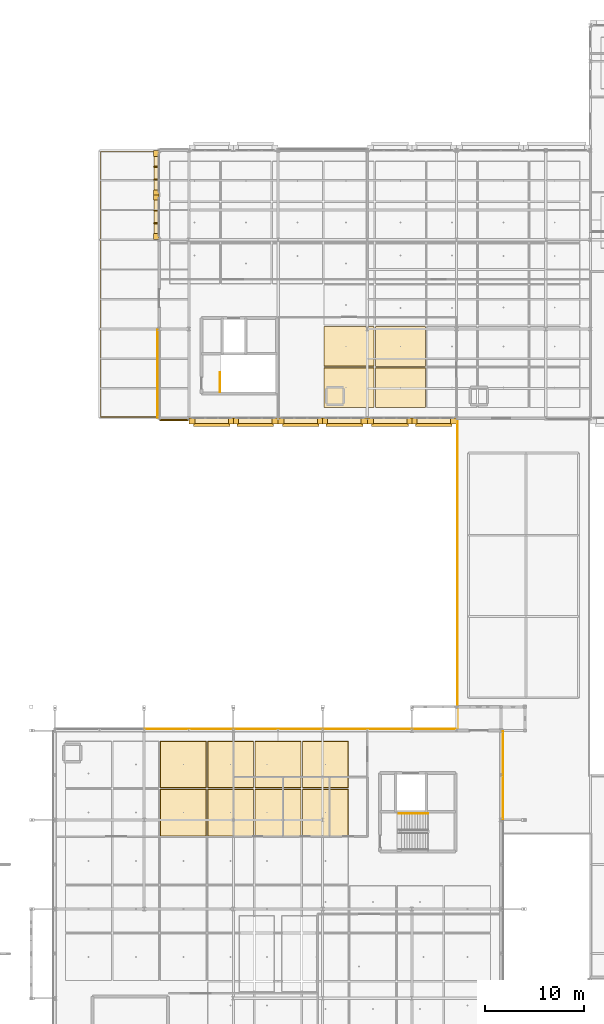
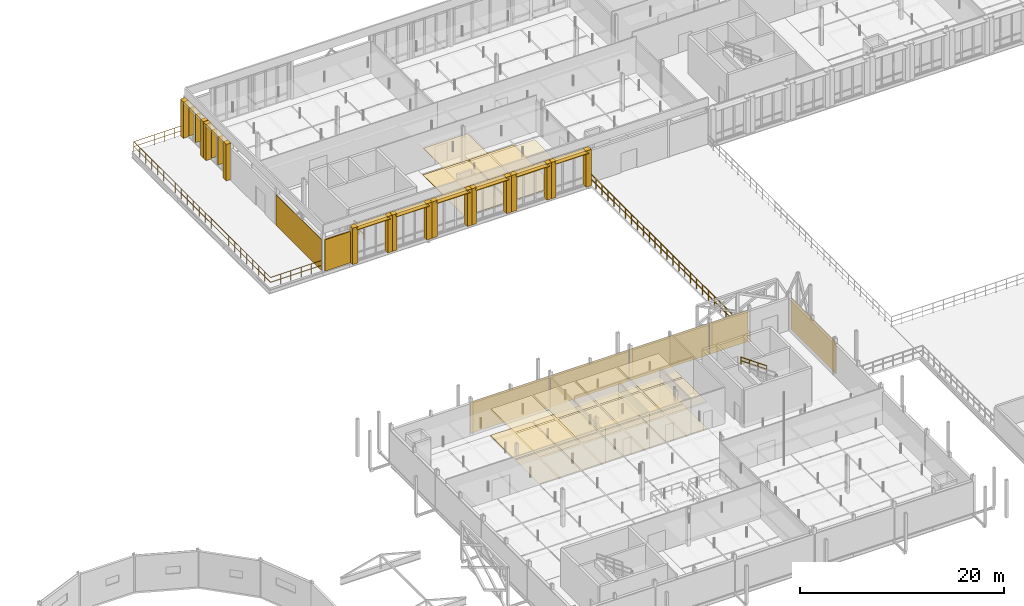
# One storey, part 83 of 89: 54 coverings, 10 shading devices, 4 railings.
"""IFC4 building model written with IfcOpenShell, lengths in metres."""

from ifc_helpers import new_model, si_unit, direction, frame, origin, origin_2d, place, context, subcontext, project, spatial, rectangle, circle, extrude, material, layer, layer_set, type_object, element, save


model = new_model("IFC4")

# Units and contexts
model_context = context("Model", 3, precision=1e-05, world=origin(), true_north=direction((0.0, 1.0)))
body_context = subcontext(model_context, "Body", "Model", "MODEL_VIEW")
ifc_project = project(units=[si_unit("LENGTHUNIT", "METRE"), si_unit("AREAUNIT", "SQUARE_METRE"), si_unit("VOLUMEUNIT", "CUBIC_METRE"), si_unit("PLANEANGLEUNIT", "RADIAN"), si_unit("MASSUNIT", "GRAM", prefix="KILO"), si_unit("THERMODYNAMICTEMPERATUREUNIT", "KELVIN"), si_unit("POWERUNIT", "WATT")], contexts=[model_context])

# Site, building, storey
site_placement = place(None, origin())
site = spatial("IfcSite", under=ifc_project, at=site_placement, CompositionType="ELEMENT")
building_placement = place(site_placement, origin())
building = spatial("IfcBuilding", under=site, at=building_placement, Name="Tallowbark Science Centre", CompositionType="ELEMENT")
storey_placement = place(building_placement, frame((0.0, 0.0, 14.39990234375)))
storey = spatial("IfcBuildingStorey", under=building, at=storey_placement, Name="L03", CompositionType="ELEMENT", Elevation=14.39990234375)

# Coverings
ifc_material_1 = material(Name="Cleanable Vinyl-Faced Laboratory Ceiling Tile")
ifc_layer_1 = layer(ifc_material_1, 0.01611328125)
ifc_layer_set_1 = layer_set([ifc_layer_1], Name="Cleanable Vinyl-Faced Laboratory Ceiling Tile")
covering_type_1 = type_object("IfcCoveringType", Name="CLG-LAB-16", PredefinedType="CEILING", material=ifc_layer_set_1)
for number, where, z_axis, x_axis, name in (
    (1, (88.15625, 75.083251953125, 3.192138671875), (0.0, 0.0, 1.0), (1.0, 0.0, 0.0), "Suspended Ceiling L03-1003"),
    (2, (88.15625, 79.25, 3.192138671875), (0.0, 0.0, 1.0), (1.0, 0.0, 0.0), "Suspended Ceiling L03-1004"),
    (3, (93.34375, 75.083251953125, 3.192138671875), (0.0, 0.0, 1.0), (1.0, 0.0, 0.0), "Suspended Ceiling L03-1009"),
):
    element("IfcCovering", number, at=place(storey_placement, frame(where, z_axis=z_axis, x_axis=x_axis)), inside=storey, type_object=covering_type_1, Name=name, PredefinedType="CEILING", context=body_context, shape_type="SweptSolid", body=[
        extrude(rectangle(XDim=5.007568359375, YDim=3.98681640625, at=origin_2d()), origin(), (0.0, 0.0, 1.0), 0.01611328125),
    ])
ifc_material_2 = material(Name="Perforated Spotted Gum Acoustic Baffle Ceiling", Category="wood")
ifc_layer_2 = layer(ifc_material_2, 0.02490234375)
ifc_layer_set_2 = layer_set([ifc_layer_2], Name="Perforated Spotted Gum Acoustic Baffle Ceiling")
covering_type_2 = type_object("IfcCoveringType", Name="CLG-TIM-25", PredefinedType="CEILING", material=ifc_layer_set_2)
for number, where, z_axis, x_axis, name in (
    (4, (71.4443359375, 32.21435546875, 3.187744140625), (0.0, 0.0, 1.0), (1.0, 0.0, 0.0), "Suspended Ceiling L03-959"),
    (5, (71.4443359375, 37.0712890625, 3.187744140625), (0.0, 0.0, 1.0), (1.0, 0.0, 0.0), "Suspended Ceiling L03-960"),
    (6, (76.22216796875, 32.21435546875, 3.187744140625), (0.0, 0.0, 1.0), (1.0, 0.0, 0.0), "Suspended Ceiling L03-966"),
    (7, (76.22216796875, 37.0712890625, 3.187744140625), (0.0, 0.0, 1.0), (1.0, 0.0, 0.0), "Suspended Ceiling L03-967"),
    (8, (81.0, 32.21435546875, 3.187744140625), (0.0, 0.0, 1.0), (1.0, 0.0, 0.0), "Suspended Ceiling L03-973"),
    (9, (81.0, 37.0712890625, 3.187744140625), (0.0, 0.0, 1.0), (1.0, 0.0, 0.0), "Suspended Ceiling L03-974"),
    (10, (85.77783203125, 32.21435546875, 3.187744140625), (0.0, 0.0, 1.0), (1.0, 0.0, 0.0), "Suspended Ceiling L03-980"),
    (11, (85.77783203125, 37.0712890625, 3.187744140625), (0.0, 0.0, 1.0), (1.0, 0.0, 0.0), "Suspended Ceiling L03-981"),
):
    element("IfcCovering", number, at=place(storey_placement, frame(where, z_axis=z_axis, x_axis=x_axis)), inside=storey, type_object=covering_type_2, Name=name, PredefinedType="CEILING", context=body_context, shape_type="SweptSolid", body=[
        extrude(rectangle(XDim=4.597900390625, YDim=4.677001953125, at=origin_2d()), origin(), (0.0, 0.0, 1.0), 0.02490234375),
    ])
ifc_material_3 = material(Name="White Architectural Precast Concrete Grade N40 (40 MPa)", Category="concrete")
ifc_layer_3 = layer(ifc_material_3, 0.1201171875)
ifc_layer_set_3 = layer_set([ifc_layer_3], Name="White Architectural Precast Concrete Grade N40 (40 MPa)")
covering_type_3 = type_object("IfcCoveringType", Name="COV-PRC-CLAD", PredefinedType="CLADDING", material=ifc_layer_set_3)
covering_1_placement = place(storey_placement, frame((70.5, 71.81494140625, 0.050048828125), z_axis=(0.0, 0.0, 1.0), x_axis=(1.0, 0.0, 0.0)))
element("IfcCovering", 12, at=covering_1_placement, inside=storey, type_object=covering_type_3, Name="Architectural Rainscreen LAB-S-L03-69", PredefinedType="CLADDING", context=body_context, shape_type="SweptSolid", body=[
    extrude(rectangle(XDim=2.8798828125, YDim=0.1201171875, at=origin_2d()), origin(), (0.0, 0.0, 1.0), 3.74609375),
])
covering_2_placement = place(storey_placement, frame((72.304931640625, 71.719970703125, 0.0), z_axis=(0.0, 0.0, 1.0), x_axis=(1.0, 0.0, 0.0)))
element("IfcCovering", 13, at=covering_2_placement, inside=storey, type_object=covering_type_3, Name="Postmodern Deep Precast Pier CW-L03-076-1", PredefinedType="CLADDING", context=body_context, shape_type="SweptSolid", body=[
    extrude(rectangle(XDim=0.610107421875, YDim=0.56005859375, at=origin_2d()), origin(), (0.0, 0.0, 1.0), 4.340087890625),
])
for number, where, z_axis, x_axis, name in (
    (14, (76.2451171875, 71.719970703125, 0.0), (0.0, 0.0, 1.0), (1.0, 0.0, 0.0), "Postmodern Deep Precast Pier CW-L03-076-2"),
    (15, (76.7548828125, 71.719970703125, 0.0), (0.0, 0.0, 1.0), (1.0, 0.0, 0.0), "Postmodern Deep Precast Pier CW-L03-077-1"),
):
    element("IfcCovering", number, at=place(storey_placement, frame(where, z_axis=z_axis, x_axis=x_axis)), inside=storey, type_object=covering_type_3, Name=name, PredefinedType="CLADDING", context=body_context, shape_type="SweptSolid", body=[
        extrude(rectangle(XDim=0.510009765625, YDim=0.56005859375, at=origin_2d()), origin(), (0.0, 0.0, 1.0), 4.340087890625),
    ])
for number, where, z_axis, x_axis, name in (
    (16, (80.695068359375, 71.719970703125, 0.0), (0.0, 0.0, 1.0), (1.0, 0.0, 0.0), "Postmodern Deep Precast Pier CW-L03-077-2"),
    (17, (81.304931640625, 71.719970703125, 0.0), (0.0, 0.0, 1.0), (1.0, 0.0, 0.0), "Postmodern Deep Precast Pier CW-L03-078-1"),
):
    element("IfcCovering", number, at=place(storey_placement, frame(where, z_axis=z_axis, x_axis=x_axis)), inside=storey, type_object=covering_type_3, Name=name, PredefinedType="CLADDING", context=body_context, shape_type="SweptSolid", body=[
        extrude(rectangle(XDim=0.610107421875, YDim=0.56005859375, at=origin_2d()), origin(), (0.0, 0.0, 1.0), 4.340087890625),
    ])
for number, where, z_axis, x_axis, name in (
    (18, (85.2451171875, 71.719970703125, 0.0), (0.0, 0.0, 1.0), (1.0, 0.0, 0.0), "Postmodern Deep Precast Pier CW-L03-078-2"),
    (19, (85.7548828125, 71.719970703125, 0.0), (0.0, 0.0, 1.0), (1.0, 0.0, 0.0), "Postmodern Deep Precast Pier CW-L03-079-1"),
):
    element("IfcCovering", number, at=place(storey_placement, frame(where, z_axis=z_axis, x_axis=x_axis)), inside=storey, type_object=covering_type_3, Name=name, PredefinedType="CLADDING", context=body_context, shape_type="SweptSolid", body=[
        extrude(rectangle(XDim=0.510009765625, YDim=0.56005859375, at=origin_2d()), origin(), (0.0, 0.0, 1.0), 4.340087890625),
    ])
for number, where, z_axis, x_axis, name in (
    (20, (89.695068359375, 71.719970703125, 0.0), (0.0, 0.0, 1.0), (1.0, 0.0, 0.0), "Postmodern Deep Precast Pier CW-L03-079-2"),
    (21, (90.304931640625, 71.719970703125, 0.0), (0.0, 0.0, 1.0), (1.0, 0.0, 0.0), "Postmodern Deep Precast Pier CW-L03-080-1"),
):
    element("IfcCovering", number, at=place(storey_placement, frame(where, z_axis=z_axis, x_axis=x_axis)), inside=storey, type_object=covering_type_3, Name=name, PredefinedType="CLADDING", context=body_context, shape_type="SweptSolid", body=[
        extrude(rectangle(XDim=0.610107421875, YDim=0.56005859375, at=origin_2d()), origin(), (0.0, 0.0, 1.0), 4.340087890625),
    ])
for number, where, z_axis, x_axis, name in (
    (22, (94.2451171875, 71.719970703125, 0.0), (0.0, 0.0, 1.0), (1.0, 0.0, 0.0), "Postmodern Deep Precast Pier CW-L03-080-2"),
    (23, (94.7548828125, 71.719970703125, 0.0), (0.0, 0.0, 1.0), (1.0, 0.0, 0.0), "Postmodern Deep Precast Pier CW-L03-081-1"),
):
    element("IfcCovering", number, at=place(storey_placement, frame(where, z_axis=z_axis, x_axis=x_axis)), inside=storey, type_object=covering_type_3, Name=name, PredefinedType="CLADDING", context=body_context, shape_type="SweptSolid", body=[
        extrude(rectangle(XDim=0.510009765625, YDim=0.56005859375, at=origin_2d()), origin(), (0.0, 0.0, 1.0), 4.340087890625),
    ])
for number, where, z_axis, x_axis, name in (
    (24, (98.695068359375, 71.719970703125, 0.0), (0.0, 0.0, 1.0), (1.0, 0.0, 0.0), "Postmodern Deep Precast Pier CW-L03-081-2"),
    (25, (68.719970703125, 98.695068359375, 0.0), (0.0, 0.0, 1.0), (0.0, -1.0, 0.0), "Postmodern Deep Precast Pier CW-L03-082-1"),
):
    element("IfcCovering", number, at=place(storey_placement, frame(where, z_axis=z_axis, x_axis=x_axis)), inside=storey, type_object=covering_type_3, Name=name, PredefinedType="CLADDING", context=body_context, shape_type="SweptSolid", body=[
        extrude(rectangle(XDim=0.610107421875, YDim=0.56005859375, at=origin_2d()), origin(), (0.0, 0.0, 1.0), 4.340087890625),
    ])
for number, where, z_axis, x_axis, name in (
    (26, (68.719970703125, 94.7548828125, 0.0), (0.0, 0.0, 1.0), (0.0, -1.0, 0.0), "Postmodern Deep Precast Pier CW-L03-082-2"),
    (27, (68.719970703125, 94.2451171875, 0.0), (0.0, 0.0, 1.0), (0.0, -1.0, 0.0), "Postmodern Deep Precast Pier CW-L03-083-1"),
):
    element("IfcCovering", number, at=place(storey_placement, frame(where, z_axis=z_axis, x_axis=x_axis)), inside=storey, type_object=covering_type_3, Name=name, PredefinedType="CLADDING", context=body_context, shape_type="SweptSolid", body=[
        extrude(rectangle(XDim=0.510009765625, YDim=0.56005859375, at=origin_2d()), origin(), (0.0, 0.0, 1.0), 4.340087890625),
    ])
covering_3_placement = place(storey_placement, frame((68.719970703125, 90.304931640625, 0.0), z_axis=(0.0, 0.0, 1.0), x_axis=(0.0, -1.0, 0.0)))
element("IfcCovering", 28, at=covering_3_placement, inside=storey, type_object=covering_type_3, Name="Postmodern Deep Precast Pier CW-L03-083-2", PredefinedType="CLADDING", context=body_context, shape_type="SweptSolid", body=[
    extrude(rectangle(XDim=0.610107421875, YDim=0.56005859375, at=origin_2d()), origin(), (0.0, 0.0, 1.0), 4.340087890625),
])
ifc_material_4 = material(Name="Vitrified Ochre Terracotta Architectural Rainscreen", Category="masonry")
ifc_layer_4 = layer(ifc_material_4, 0.0380859375)
ifc_layer_set_4 = layer_set([ifc_layer_4], Name="Vitrified Ochre Terracotta Architectural Rainscreen")
covering_type_4 = type_object("IfcCoveringType", Name="COV-TER-CLAD", PredefinedType="CLADDING", material=ifc_layer_set_4)
for number, where, z_axis, x_axis, name in (
    (29, (74.300048828125, 71.739990234375, 3.990234375), (0.0, 0.0, 1.0), (1.0, 0.0, 0.0), "Postmodern Terracotta Cornice Band CW-L03-076"),
    (30, (78.699951171875, 71.739990234375, 3.990234375), (0.0, 0.0, 1.0), (1.0, 0.0, 0.0), "Postmodern Terracotta Cornice Band CW-L03-077"),
    (31, (83.300048828125, 71.739990234375, 3.990234375), (0.0, 0.0, 1.0), (1.0, 0.0, 0.0), "Postmodern Terracotta Cornice Band CW-L03-078"),
    (32, (87.699951171875, 71.739990234375, 3.990234375), (0.0, 0.0, 1.0), (1.0, 0.0, 0.0), "Postmodern Terracotta Cornice Band CW-L03-079"),
    (33, (92.300048828125, 71.739990234375, 3.990234375), (0.0, 0.0, 1.0), (1.0, 0.0, 0.0), "Postmodern Terracotta Cornice Band CW-L03-080"),
    (34, (96.699951171875, 71.739990234375, 3.990234375), (0.0, 0.0, 1.0), (1.0, 0.0, 0.0), "Postmodern Terracotta Cornice Band CW-L03-081"),
):
    element("IfcCovering", number, at=place(storey_placement, frame(where, z_axis=z_axis, x_axis=x_axis)), inside=storey, type_object=covering_type_4, Name=name, PredefinedType="CLADDING", context=body_context, shape_type="SweptSolid", body=[
        extrude(rectangle(XDim=4.300048828125, YDim=0.52001953125, at=origin_2d()), origin(), (0.0, 0.0, 1.0), 0.340087890625),
    ])
covering_4_placement = place(storey_placement, frame((68.85595703125, 76.5, 0.050048828125), z_axis=(0.0, 0.0, 1.0), x_axis=(0.0, -1.0, 0.0)))
element("IfcCovering", 35, at=covering_4_placement, inside=storey, type_object=covering_type_4, Name="Architectural Rainscreen LAB-W-L03-72", PredefinedType="CLADDING", context=body_context, shape_type="SweptSolid", body=[
    extrude(rectangle(XDim=8.8798828125, YDim=0.0380859375, at=origin_2d()), origin(), (0.0, 0.0, 1.0), 3.671875),
])
for number, where, z_axis, x_axis, name in (
    (36, (68.739990234375, 96.699951171875, 3.990234375), (0.0, 0.0, 1.0), (0.0, -1.0, 0.0), "Postmodern Terracotta Cornice Band CW-L03-082"),
    (37, (68.739990234375, 92.300048828125, 3.990234375), (0.0, 0.0, 1.0), (0.0, -1.0, 0.0), "Postmodern Terracotta Cornice Band CW-L03-083"),
):
    element("IfcCovering", number, at=place(storey_placement, frame(where, z_axis=z_axis, x_axis=x_axis)), inside=storey, type_object=covering_type_4, Name=name, PredefinedType="CLADDING", context=body_context, shape_type="SweptSolid", body=[
        extrude(rectangle(XDim=4.300048828125, YDim=0.52001953125, at=origin_2d()), origin(), (0.0, 0.0, 1.0), 0.340087890625),
    ])
ifc_material_5 = material(Name="Spotted Gum Hardwood Architectural Rainscreen", Category="wood")
ifc_layer_5 = layer(ifc_material_5, 0.0419921875)
ifc_layer_set_5 = layer_set([ifc_layer_5], Name="Spotted Gum Hardwood Architectural Rainscreen")
covering_type_5 = type_object("IfcCoveringType", Name="COV-TIM-CLAD", PredefinedType="CLADDING", material=ifc_layer_set_5)
for number, where, z_axis, x_axis, name in (
    (38, (72.0, 40.66845703125, 0.050048828125), (0.0, 0.0, 1.0), (-1.0, 0.0, 0.0), "Architectural Rainscreen CUB-N-L03-1"),
    (39, (81.0, 40.66845703125, 0.050048828125), (0.0, 0.0, 1.0), (-1.0, 0.0, 0.0), "Architectural Rainscreen CUB-N-L03-2"),
    (40, (90.0, 40.66845703125, 0.050048828125), (0.0, 0.0, 1.0), (-1.0, 0.0, 0.0), "Architectural Rainscreen CUB-N-L03-3"),
):
    element("IfcCovering", number, at=place(storey_placement, frame(where, z_axis=z_axis, x_axis=x_axis)), inside=storey, type_object=covering_type_5, Name=name, PredefinedType="CLADDING", context=body_context, shape_type="SweptSolid", body=[
        extrude(rectangle(XDim=8.8798828125, YDim=0.0419921875, at=origin_2d()), origin(), (0.0, 0.0, 1.0), 3.74609375),
    ])
covering_5_placement = place(storey_placement, frame((96.75, 40.66845703125, 0.050048828125), z_axis=(0.0, 0.0, 1.0), x_axis=(-1.0, 0.0, 0.0)))
element("IfcCovering", 41, at=covering_5_placement, inside=storey, type_object=covering_type_5, Name="Architectural Rainscreen CUB-N-L03-4B", PredefinedType="CLADDING", context=body_context, shape_type="SweptSolid", body=[
    extrude(rectangle(XDim=4.3798828125, YDim=0.0419921875, at=origin_2d()), origin(), (0.0, 0.0, 1.0), 3.74609375),
])
covering_6_placement = place(storey_placement, frame((103.66845703125, 36.0, 0.050048828125), z_axis=(0.0, 0.0, 1.0), x_axis=(0.0, 1.0, 0.0)))
element("IfcCovering", 42, at=covering_6_placement, inside=storey, type_object=covering_type_5, Name="Architectural Rainscreen CUB-E-L03-3", PredefinedType="CLADDING", context=body_context, shape_type="SweptSolid", body=[
    extrude(rectangle(XDim=8.8798828125, YDim=0.0419921875, at=origin_2d()), origin(), (0.0, 0.0, 1.0), 3.74609375),
])
ifc_material_6 = material(Name="Engineered Blackbutt Gallery Timber Flooring", Category="wood")
ifc_layer_6 = layer(ifc_material_6, 0.02197265625)
ifc_layer_set_6 = layer_set([ifc_layer_6], Name="Engineered Blackbutt Gallery Timber Flooring")
covering_type_6 = type_object("IfcCoveringType", Name="FLR-TIM-22", PredefinedType="FLOORING", material=ifc_layer_set_6)
for number, where, z_axis, x_axis, name in (
    (43, (71.4443359375, 32.21435546875, 0.0), (0.0, 0.0, 1.0), (1.0, 0.0, 0.0), "Floor Finish L03-959"),
    (44, (71.4443359375, 37.0712890625, 0.0), (0.0, 0.0, 1.0), (1.0, 0.0, 0.0), "Floor Finish L03-960"),
    (45, (76.22216796875, 32.21435546875, 0.0), (0.0, 0.0, 1.0), (1.0, 0.0, 0.0), "Floor Finish L03-966"),
    (46, (76.22216796875, 37.0712890625, 0.0), (0.0, 0.0, 1.0), (1.0, 0.0, 0.0), "Floor Finish L03-967"),
    (47, (81.0, 32.21435546875, 0.0), (0.0, 0.0, 1.0), (1.0, 0.0, 0.0), "Floor Finish L03-973"),
    (48, (81.0, 37.0712890625, 0.0), (0.0, 0.0, 1.0), (1.0, 0.0, 0.0), "Floor Finish L03-974"),
    (49, (85.77783203125, 32.21435546875, 0.0), (0.0, 0.0, 1.0), (1.0, 0.0, 0.0), "Floor Finish L03-980"),
    (50, (85.77783203125, 37.0712890625, 0.0), (0.0, 0.0, 1.0), (1.0, 0.0, 0.0), "Floor Finish L03-981"),
):
    element("IfcCovering", number, at=place(storey_placement, frame(where, z_axis=z_axis, x_axis=x_axis)), inside=storey, type_object=covering_type_6, Name=name, PredefinedType="FLOORING", context=body_context, shape_type="SweptSolid", body=[
        extrude(rectangle(XDim=4.65771484375, YDim=4.737060546875, at=origin_2d()), origin(), (0.0, 0.0, 1.0), 0.02197265625),
    ])
ifc_material_7 = material(Name="Chemical-Resistant Seamless Laboratory Vinyl")
ifc_layer_7 = layer(ifc_material_7, 0.011962890625)
ifc_layer_set_7 = layer_set([ifc_layer_7], Name="Chemical-Resistant Seamless Laboratory Vinyl")
covering_type_7 = type_object("IfcCoveringType", Name="FLR-VIN-12", PredefinedType="FLOORING", material=ifc_layer_set_7)
for number, where, z_axis, x_axis, name in (
    (51, (88.15625, 75.083251953125, 0.0), (0.0, 0.0, 1.0), (1.0, 0.0, 0.0), "Floor Finish L03-1003"),
    (52, (88.15625, 79.25, 0.0), (0.0, 0.0, 1.0), (1.0, 0.0, 0.0), "Floor Finish L03-1004"),
    (53, (93.34375, 75.083251953125, 0.0), (0.0, 0.0, 1.0), (1.0, 0.0, 0.0), "Floor Finish L03-1009"),
    (54, (93.34375, 79.25, 0.0), (0.0, 0.0, 1.0), (1.0, 0.0, 0.0), "Floor Finish L03-1010"),
):
    element("IfcCovering", number, at=place(storey_placement, frame(where, z_axis=z_axis, x_axis=x_axis)), inside=storey, type_object=covering_type_7, Name=name, PredefinedType="FLOORING", context=body_context, shape_type="SweptSolid", body=[
        extrude(rectangle(XDim=5.0673828125, YDim=4.046630859375, at=origin_2d()), origin(), (0.0, 0.0, 1.0), 0.011962890625),
    ])

# Railings
ifc_material_8 = material(Name="Galvanised Painted Steel and Laminated Glass Balustrade", Category="steel")
ifc_layer_8 = layer(ifc_material_8, 0.070068359375)
ifc_layer_set_8 = layer_set([ifc_layer_8], Name="Galvanised Painted Steel and Laminated Glass Balustrade")
railing_type_1 = type_object("IfcRailingType", Name="RLG-BAL-1150", PredefinedType="BALUSTRADE", material=ifc_layer_set_8)
railing_1_placement = place(storey_placement, frame((75.159912109375, 74.64990234375, 0.0)))
element("IfcRailing", 55, at=railing_1_placement, inside=storey, type_object=railing_type_1, Name="L03 ST-01 top well guard 1", PredefinedType="BALUSTRADE", context=body_context, shape_type="SweptSolid", body=[
    extrude(circle(Radius=0.02392578125, at=origin_2d()), frame((0.0, 0.0, 1.076171875), z_axis=(0.0, 1.0, 0.0), x_axis=(-1.0, 0.0, 0.0)), (0.0, 0.0, 1.0), 1.960205078125),
    extrude(circle(Radius=0.02392578125, at=origin_2d()), frame((0.0, 0.0, 0.550048828125), z_axis=(0.0, 1.0, 0.0), x_axis=(-1.0, 0.0, 0.0)), (0.0, 0.0, 1.0), 1.960205078125),
    extrude(circle(Radius=0.02099609375, at=origin_2d()), origin(), (0.0, 0.0, 1.0), 1.052001953125),
    extrude(circle(Radius=0.02099609375, at=origin_2d()), frame((0.0, 0.97998046875, 0.0)), (0.0, 0.0, 1.0), 1.052001953125),
    extrude(circle(Radius=0.02099609375, at=origin_2d()), frame((0.0, 1.960205078125, 0.0)), (0.0, 0.0, 1.0), 1.052001953125),
])
ifc_material_9 = material(Name="Brushed Grade 316 Stainless Steel Handrail", Category="steel")
ifc_layer_9 = layer(ifc_material_9, 0.050048828125)
ifc_layer_set_9 = layer_set([ifc_layer_9], Name="Brushed Grade 316 Stainless Steel Handrail")
railing_type_2 = type_object("IfcRailingType", Name="RLG-HDR-950", PredefinedType="HANDRAIL", material=ifc_layer_set_9)
railing_2_placement = place(storey_placement, frame((96.125, 32.1201171875, 2.4375)))
element("IfcRailing", 56, at=railing_2_placement, inside=storey, type_object=railing_type_2, Name="L03 ST-03 stair handrail 2", PredefinedType="HANDRAIL", context=body_context, shape_type="SweptSolid", body=[
    extrude(circle(Radius=0.02392578125, at=origin_2d()), frame((0.0, 0.0, 0.8759765625), z_axis=(-0.816330724661, 0.0, 0.577584753931), x_axis=(0.0, -1.0, 0.0)), (0.0, 0.0, 1.0), 3.57080078125),
    extrude(circle(Radius=0.02392578125, at=origin_2d()), frame((0.0, 0.0, 0.449951171875), z_axis=(-0.816330724661, 0.0, 0.577584753931), x_axis=(0.0, -1.0, 0.0)), (0.0, 0.0, 1.0), 3.57080078125),
    extrude(circle(Radius=0.02099609375, at=origin_2d()), origin(), (0.0, 0.0, 1.0), 0.851806640625),
    extrude(circle(Radius=0.02099609375, at=origin_2d()), frame((-0.9716796875, 0.0, 0.6875)), (0.0, 0.0, 1.0), 0.851806640625),
    extrude(circle(Radius=0.02099609375, at=origin_2d()), frame((-1.943359375, 0.0, 1.375)), (0.0, 0.0, 1.0), 0.851806640625),
    extrude(circle(Radius=0.02099609375, at=origin_2d()), frame((-2.9150390625, 0.0, 2.0625)), (0.0, 0.0, 1.0), 0.851806640625),
])
ifc_material_10 = material(Name="Architectural Steel Post-and-Rail Terrace Guard", Category="steel")
ifc_layer_10 = layer(ifc_material_10, 0.080078125)
ifc_layer_set_10 = layer_set([ifc_layer_10], Name="Architectural Steel Post-and-Rail Terrace Guard")
railing_type_3 = type_object("IfcRailingType", Name="RLG-TER-1200", PredefinedType="GUARDRAIL", material=ifc_layer_set_10)
railing_3_placement = place(storey_placement, frame((99.1201171875, 71.8798828125, 0.0)))
element("IfcRailing", 57, at=railing_3_placement, inside=storey, type_object=railing_type_3, Name="Guardrail GD-TRG-L03-1W", PredefinedType="GUARDRAIL", context=body_context, shape_type="SweptSolid", body=[
    extrude(circle(Radius=0.02392578125, at=origin_2d()), frame((0.0, 0.0, 1.17578125), z_axis=(0.0, -1.0, 0.0), x_axis=(1.0, 0.0, 0.0)), (0.0, 0.0, 1.0), 31.259765625),
    extrude(circle(Radius=0.02392578125, at=origin_2d()), frame((0.0, 0.0, 0.60009765625), z_axis=(0.0, -1.0, 0.0), x_axis=(1.0, 0.0, 0.0)), (0.0, 0.0, 1.0), 31.259765625),
    extrude(circle(Radius=0.02099609375, at=origin_2d()), origin(), (0.0, 0.0, 1.0), 1.15185546875),
    extrude(circle(Radius=0.02099609375, at=origin_2d()), frame((0.0, -1.15771484375, 0.0)), (0.0, 0.0, 1.0), 1.15185546875),
    extrude(circle(Radius=0.02099609375, at=origin_2d()), frame((0.0, -2.3154296875, 0.0)), (0.0, 0.0, 1.0), 1.15185546875),
    extrude(circle(Radius=0.02099609375, at=origin_2d()), frame((0.0, -3.473388671875, 0.0)), (0.0, 0.0, 1.0), 1.15185546875),
    extrude(circle(Radius=0.02099609375, at=origin_2d()), frame((0.0, -4.631103515625, 0.0)), (0.0, 0.0, 1.0), 1.15185546875),
    extrude(circle(Radius=0.02099609375, at=origin_2d()), frame((0.0, -5.788818359375, 0.0)), (0.0, 0.0, 1.0), 1.15185546875),
    extrude(circle(Radius=0.02099609375, at=origin_2d()), frame((0.0, -6.946533203125, 0.0)), (0.0, 0.0, 1.0), 1.15185546875),
    extrude(circle(Radius=0.02099609375, at=origin_2d()), frame((0.0, -8.1044921875, 0.0)), (0.0, 0.0, 1.0), 1.15185546875),
    extrude(circle(Radius=0.02099609375, at=origin_2d()), frame((0.0, -9.26220703125, 0.0)), (0.0, 0.0, 1.0), 1.15185546875),
    extrude(circle(Radius=0.02099609375, at=origin_2d()), frame((0.0, -10.419921875, 0.0)), (0.0, 0.0, 1.0), 1.15185546875),
    extrude(circle(Radius=0.02099609375, at=origin_2d()), frame((0.0, -11.57763671875, 0.0)), (0.0, 0.0, 1.0), 1.15185546875),
    extrude(circle(Radius=0.02099609375, at=origin_2d()), frame((0.0, -12.7353515625, 0.0)), (0.0, 0.0, 1.0), 1.15185546875),
    extrude(circle(Radius=0.02099609375, at=origin_2d()), frame((0.0, -13.893310546875, 0.0)), (0.0, 0.0, 1.0), 1.15185546875),
    extrude(circle(Radius=0.02099609375, at=origin_2d()), frame((0.0, -15.051025390625, 0.0)), (0.0, 0.0, 1.0), 1.15185546875),
    extrude(circle(Radius=0.02099609375, at=origin_2d()), frame((0.0, -16.208740234375, 0.0)), (0.0, 0.0, 1.0), 1.15185546875),
    extrude(circle(Radius=0.02099609375, at=origin_2d()), frame((0.0, -17.366455078125, 0.0)), (0.0, 0.0, 1.0), 1.15185546875),
    extrude(circle(Radius=0.02099609375, at=origin_2d()), frame((0.0, -18.5244140625, 0.0)), (0.0, 0.0, 1.0), 1.15185546875),
    extrude(circle(Radius=0.02099609375, at=origin_2d()), frame((0.0, -19.68212890625, 0.0)), (0.0, 0.0, 1.0), 1.15185546875),
    extrude(circle(Radius=0.02099609375, at=origin_2d()), frame((0.0, -20.83984375, 0.0)), (0.0, 0.0, 1.0), 1.15185546875),
    extrude(circle(Radius=0.02099609375, at=origin_2d()), frame((0.0, -21.99755859375, 0.0)), (0.0, 0.0, 1.0), 1.15185546875),
    extrude(circle(Radius=0.02099609375, at=origin_2d()), frame((0.0, -23.1552734375, 0.0)), (0.0, 0.0, 1.0), 1.15185546875),
    extrude(circle(Radius=0.02099609375, at=origin_2d()), frame((0.0, -24.313232421875, 0.0)), (0.0, 0.0, 1.0), 1.15185546875),
    extrude(circle(Radius=0.02099609375, at=origin_2d()), frame((0.0, -25.470947265625, 0.0)), (0.0, 0.0, 1.0), 1.15185546875),
    extrude(circle(Radius=0.02099609375, at=origin_2d()), frame((0.0, -26.628662109375, 0.0)), (0.0, 0.0, 1.0), 1.15185546875),
    extrude(circle(Radius=0.02099609375, at=origin_2d()), frame((0.0, -27.786376953125, 0.0)), (0.0, 0.0, 1.0), 1.15185546875),
    extrude(circle(Radius=0.02099609375, at=origin_2d()), frame((0.0, -28.9443359375, 0.0)), (0.0, 0.0, 1.0), 1.15185546875),
    extrude(circle(Radius=0.02099609375, at=origin_2d()), frame((0.0, -30.10205078125, 0.0)), (0.0, 0.0, 1.0), 1.15185546875),
    extrude(circle(Radius=0.02099609375, at=origin_2d()), frame((0.0, -31.259765625, 0.0)), (0.0, 0.0, 1.0), 1.15185546875),
])
railing_4_placement = place(storey_placement, frame((68.8798828125, 72.1201171875, 0.0)))
element("IfcRailing", 58, at=railing_4_placement, inside=storey, type_object=railing_type_3, Name="Guardrail GD-LRG-L03", PredefinedType="GUARDRAIL", context=body_context, shape_type="SweptSolid", body=[
    extrude(circle(Radius=0.02392578125, at=origin_2d()), frame((0.0, 0.0, 1.17578125), z_axis=(-1.0, 0.0, 0.0), x_axis=(0.0, -1.0, 0.0)), (0.0, 0.0, 1.0), 5.759765625),
    extrude(circle(Radius=0.02392578125, at=origin_2d()), frame((0.0, 0.0, 0.60009765625), z_axis=(-1.0, 0.0, 0.0), x_axis=(0.0, -1.0, 0.0)), (0.0, 0.0, 1.0), 5.759765625),
    extrude(circle(Radius=0.02392578125, at=origin_2d()), frame((-5.759765625, 0.0, 1.17578125), z_axis=(0.0, 1.0, 0.0), x_axis=(-1.0, 0.0, 0.0)), (0.0, 0.0, 1.0), 26.759765625),
    extrude(circle(Radius=0.02392578125, at=origin_2d()), frame((-5.759765625, 0.0, 0.60009765625), z_axis=(0.0, 1.0, 0.0), x_axis=(-1.0, 0.0, 0.0)), (0.0, 0.0, 1.0), 26.759765625),
    extrude(circle(Radius=0.02392578125, at=origin_2d()), frame((-5.759765625, 26.759765625, 1.17578125), z_axis=(1.0, 0.0, 0.0), x_axis=(0.0, 1.0, 0.0)), (0.0, 0.0, 1.0), 5.759765625),
    extrude(circle(Radius=0.02392578125, at=origin_2d()), frame((-5.759765625, 26.759765625, 0.60009765625), z_axis=(1.0, 0.0, 0.0), x_axis=(0.0, 1.0, 0.0)), (0.0, 0.0, 1.0), 5.759765625),
    extrude(circle(Radius=0.02099609375, at=origin_2d()), origin(), (0.0, 0.0, 1.0), 1.15185546875),
    extrude(circle(Radius=0.02099609375, at=origin_2d()), frame((-1.15185546875, 0.0, 0.0)), (0.0, 0.0, 1.0), 1.15185546875),
    extrude(circle(Radius=0.02099609375, at=origin_2d()), frame((-2.303955078125, 0.0, 0.0)), (0.0, 0.0, 1.0), 1.15185546875),
    extrude(circle(Radius=0.02099609375, at=origin_2d()), frame((-3.455810546875, 0.0, 0.0)), (0.0, 0.0, 1.0), 1.15185546875),
    extrude(circle(Radius=0.02099609375, at=origin_2d()), frame((-4.60791015625, 0.0, 0.0)), (0.0, 0.0, 1.0), 1.15185546875),
    extrude(circle(Radius=0.02099609375, at=origin_2d()), frame((-5.759765625, 0.0, 0.0)), (0.0, 0.0, 1.0), 1.15185546875),
    extrude(circle(Radius=0.02099609375, at=origin_2d()), frame((-5.759765625, 1.16357421875, 0.0)), (0.0, 0.0, 1.0), 1.15185546875),
    extrude(circle(Radius=0.02099609375, at=origin_2d()), frame((-5.759765625, 2.326904296875, 0.0)), (0.0, 0.0, 1.0), 1.15185546875),
    extrude(circle(Radius=0.02099609375, at=origin_2d()), frame((-5.759765625, 3.490478515625, 0.0)), (0.0, 0.0, 1.0), 1.15185546875),
    extrude(circle(Radius=0.02099609375, at=origin_2d()), frame((-5.759765625, 4.65380859375, 0.0)), (0.0, 0.0, 1.0), 1.15185546875),
    extrude(circle(Radius=0.02099609375, at=origin_2d()), frame((-5.759765625, 5.8173828125, 0.0)), (0.0, 0.0, 1.0), 1.15185546875),
    extrude(circle(Radius=0.02099609375, at=origin_2d()), frame((-5.759765625, 6.980712890625, 0.0)), (0.0, 0.0, 1.0), 1.15185546875),
    extrude(circle(Radius=0.02099609375, at=origin_2d()), frame((-5.759765625, 8.144287109375, 0.0)), (0.0, 0.0, 1.0), 1.15185546875),
    extrude(circle(Radius=0.02099609375, at=origin_2d()), frame((-5.759765625, 9.307861328125, 0.0)), (0.0, 0.0, 1.0), 1.15185546875),
    extrude(circle(Radius=0.02099609375, at=origin_2d()), frame((-5.759765625, 10.47119140625, 0.0)), (0.0, 0.0, 1.0), 1.15185546875),
    extrude(circle(Radius=0.02099609375, at=origin_2d()), frame((-5.759765625, 11.634765625, 0.0)), (0.0, 0.0, 1.0), 1.15185546875),
    extrude(circle(Radius=0.02099609375, at=origin_2d()), frame((-5.759765625, 12.798095703125, 0.0)), (0.0, 0.0, 1.0), 1.15185546875),
    extrude(circle(Radius=0.02099609375, at=origin_2d()), frame((-5.759765625, 13.961669921875, 0.0)), (0.0, 0.0, 1.0), 1.15185546875),
    extrude(circle(Radius=0.02099609375, at=origin_2d()), frame((-5.759765625, 15.125, 0.0)), (0.0, 0.0, 1.0), 1.15185546875),
    extrude(circle(Radius=0.02099609375, at=origin_2d()), frame((-5.759765625, 16.28857421875, 0.0)), (0.0, 0.0, 1.0), 1.15185546875),
    extrude(circle(Radius=0.02099609375, at=origin_2d()), frame((-5.759765625, 17.451904296875, 0.0)), (0.0, 0.0, 1.0), 1.15185546875),
    extrude(circle(Radius=0.02099609375, at=origin_2d()), frame((-5.759765625, 18.615478515625, 0.0)), (0.0, 0.0, 1.0), 1.15185546875),
    extrude(circle(Radius=0.02099609375, at=origin_2d()), frame((-5.759765625, 19.779052734375, 0.0)), (0.0, 0.0, 1.0), 1.15185546875),
    extrude(circle(Radius=0.02099609375, at=origin_2d()), frame((-5.759765625, 20.9423828125, 0.0)), (0.0, 0.0, 1.0), 1.15185546875),
    extrude(circle(Radius=0.02099609375, at=origin_2d()), frame((-5.759765625, 22.10595703125, 0.0)), (0.0, 0.0, 1.0), 1.15185546875),
    extrude(circle(Radius=0.02099609375, at=origin_2d()), frame((-5.759765625, 23.269287109375, 0.0)), (0.0, 0.0, 1.0), 1.15185546875),
    extrude(circle(Radius=0.02099609375, at=origin_2d()), frame((-5.759765625, 24.432861328125, 0.0)), (0.0, 0.0, 1.0), 1.15185546875),
    extrude(circle(Radius=0.02099609375, at=origin_2d()), frame((-5.759765625, 25.59619140625, 0.0)), (0.0, 0.0, 1.0), 1.15185546875),
    extrude(circle(Radius=0.02099609375, at=origin_2d()), frame((-5.759765625, 26.759765625, 0.0)), (0.0, 0.0, 1.0), 1.15185546875),
    extrude(circle(Radius=0.02099609375, at=origin_2d()), frame((-4.60791015625, 26.759765625, 0.0)), (0.0, 0.0, 1.0), 1.15185546875),
    extrude(circle(Radius=0.02099609375, at=origin_2d()), frame((-3.455810546875, 26.759765625, 0.0)), (0.0, 0.0, 1.0), 1.15185546875),
    extrude(circle(Radius=0.02099609375, at=origin_2d()), frame((-2.303955078125, 26.759765625, 0.0)), (0.0, 0.0, 1.0), 1.15185546875),
    extrude(circle(Radius=0.02099609375, at=origin_2d()), frame((-1.15185546875, 26.759765625, 0.0)), (0.0, 0.0, 1.0), 1.15185546875),
    extrude(circle(Radius=0.02099609375, at=origin_2d()), frame((0.0, 26.759765625, 0.0)), (0.0, 0.0, 1.0), 1.15185546875),
])

# Shading devices
ifc_material_11 = material(Name="Sandstone-Finished Architectural Aluminium Solar Fin", Category="masonry")
shading_device_type_1 = type_object("IfcShadingDeviceType", Name="SHD-FIN-400", PredefinedType="JALOUSIE", material=ifc_material_11)
for number, where, z_axis, x_axis, name in (
    (59, (68.719970703125, 97.35009765625, 0.92529296875), (0.0, 0.0, 1.0), (0.0, -1.0, 0.0), "Vertical Solar Fin CW-L03-082-1"),
    (60, (68.719970703125, 96.050048828125, 0.92529296875), (0.0, 0.0, 1.0), (0.0, -1.0, 0.0), "Vertical Solar Fin CW-L03-082-2"),
    (61, (68.719970703125, 92.949951171875, 0.92529296875), (0.0, 0.0, 1.0), (0.0, -1.0, 0.0), "Vertical Solar Fin CW-L03-083-1"),
    (62, (68.719970703125, 91.64990234375, 0.92529296875), (0.0, 0.0, 1.0), (0.0, -1.0, 0.0), "Vertical Solar Fin CW-L03-083-2"),
):
    element("IfcShadingDevice", number, at=place(storey_placement, frame(where, z_axis=z_axis, x_axis=x_axis)), inside=storey, type_object=shading_device_type_1, Name=name, PredefinedType="JALOUSIE", context=body_context, shape_type="SweptSolid", body=[
        extrude(rectangle(XDim=0.074951171875, YDim=0.550048828125, at=origin_2d()), origin(), (0.0, 0.0, 1.0), 3.340087890625),
    ])
ifc_material_12 = material(Name="Terracotta-Anodised Extruded Aluminium Sunshade Blade", Category="masonry")
ifc_layer_11 = layer(ifc_material_12, 0.054931640625)
ifc_layer_set_11 = layer_set([ifc_layer_11], Name="Terracotta-Anodised Extruded Aluminium Sunshade Blade")
shading_device_type_2 = type_object("IfcShadingDeviceType", Name="SHD-LVR-300", PredefinedType="AWNING", material=ifc_layer_set_11)
for number, where, z_axis, x_axis, name in (
    (63, (74.300048828125, 71.580078125, 4.15283203125), (0.0, 0.0, 1.0), (1.0, 0.0, 0.0), "Horizontal Solar Louvre Hood CW-L03-076"),
    (64, (78.699951171875, 71.580078125, 4.15283203125), (0.0, 0.0, 1.0), (1.0, 0.0, 0.0), "Horizontal Solar Louvre Hood CW-L03-077"),
    (65, (83.300048828125, 71.580078125, 4.15283203125), (0.0, 0.0, 1.0), (1.0, 0.0, 0.0), "Horizontal Solar Louvre Hood CW-L03-078"),
    (66, (87.699951171875, 71.580078125, 4.15283203125), (0.0, 0.0, 1.0), (1.0, 0.0, 0.0), "Horizontal Solar Louvre Hood CW-L03-079"),
    (67, (92.300048828125, 71.580078125, 4.15283203125), (0.0, 0.0, 1.0), (1.0, 0.0, 0.0), "Horizontal Solar Louvre Hood CW-L03-080"),
    (68, (96.699951171875, 71.580078125, 4.15283203125), (0.0, 0.0, 1.0), (1.0, 0.0, 0.0), "Horizontal Solar Louvre Hood CW-L03-081"),
):
    element("IfcShadingDevice", number, at=place(storey_placement, frame(where, z_axis=z_axis, x_axis=x_axis)), inside=storey, type_object=shading_device_type_2, Name=name, PredefinedType="AWNING", context=body_context, shape_type="SweptSolid", body=[
        extrude(rectangle(XDim=3.699951171875, YDim=0.840087890625, at=origin_2d()), origin(), (0.0, 0.0, 1.0), 0.054931640625),
    ])

save(model, "model.ifc")
